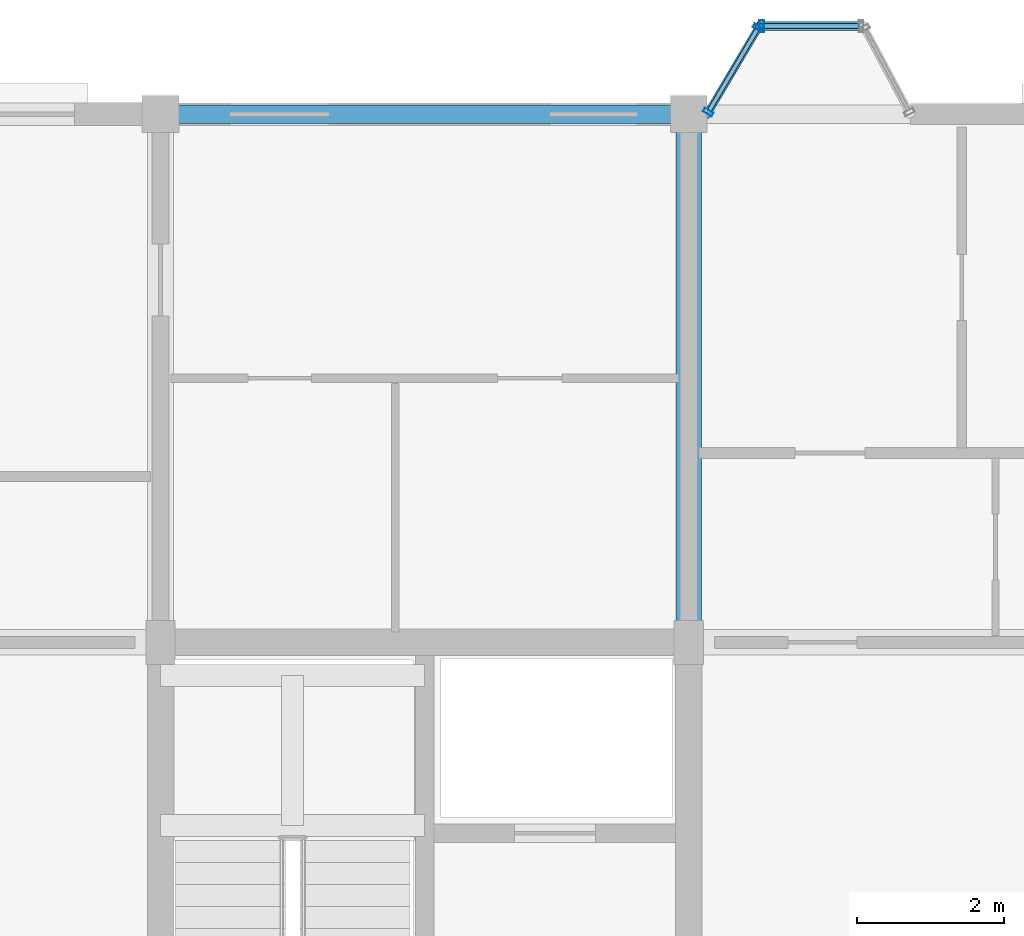
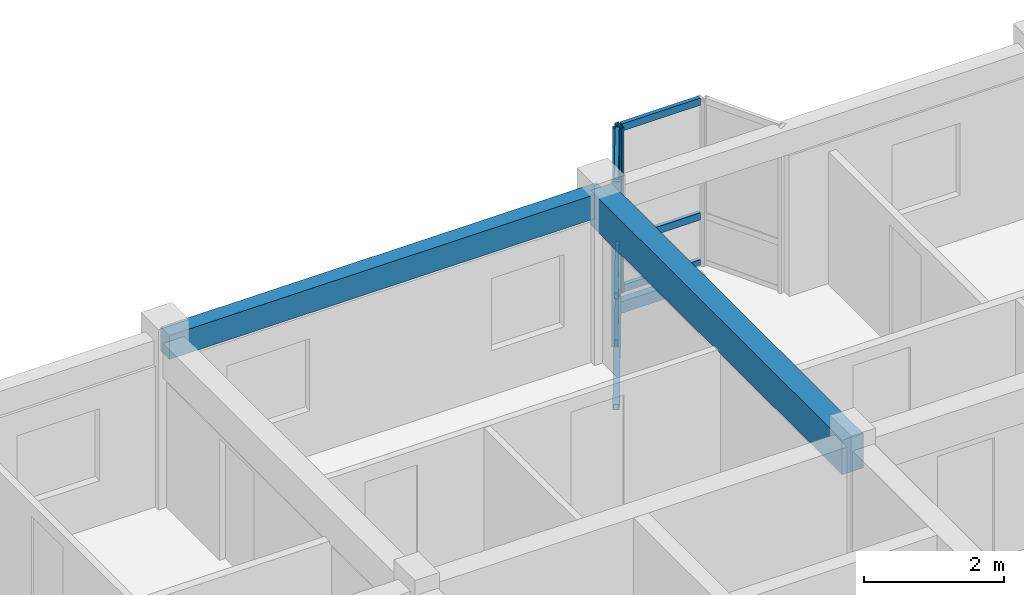
# One storey, part 39 of 70: 11 members, 2 beams, 2 elements without a shape of their own.
"""IFC4 building model written with IfcOpenShell, lengths in metres."""

from ifc_helpers import new_model, si_unit, direction, frame, origin, origin_2d, place, context, subcontext, project, spatial, rectangle, hollow_rectangle, extrude, material, layer, layer_set, material_profile, profile_set, type_object, element, aggregate, save


model = new_model("IFC4")

# Units and contexts
model_context = context("Model", 3, precision=1e-05, world=origin(), true_north=direction((0.0, 1.0)))
body_context = subcontext(model_context, "Body", "Model", "MODEL_VIEW")
ifc_project = project(units=[si_unit("LENGTHUNIT", "METRE"), si_unit("AREAUNIT", "SQUARE_METRE"), si_unit("VOLUMEUNIT", "CUBIC_METRE"), si_unit("PLANEANGLEUNIT", "RADIAN"), si_unit("MASSUNIT", "GRAM", prefix="KILO"), si_unit("THERMODYNAMICTEMPERATUREUNIT", "KELVIN"), si_unit("POWERUNIT", "WATT")], contexts=[model_context])

# Site, building, storey
site_placement = place(None, origin())
site = spatial("IfcSite", under=ifc_project, at=site_placement, CompositionType="ELEMENT")
building_placement = place(site_placement, origin())
building = spatial("IfcBuilding", under=site, at=building_placement, Name="Tavuni Mirador Residences", CompositionType="ELEMENT")
storey_placement = place(building_placement, frame((0.0, 0.0, 23.39990234375)))
storey = spatial("IfcBuildingStorey", under=building, at=storey_placement, Name="L07", CompositionType="ELEMENT", Elevation=23.39990234375)

# Beams
ifc_material_1 = material(Name="Precast concrete C40/50", Category="concrete")
ifc_material_profile_1 = material_profile(ifc_material_1, rectangle(XDim=0.35009765625, YDim=0.60009765625, at=origin_2d()), Name="PC 350x600", Category="concrete")
ifc_profile_set_1 = profile_set([ifc_material_profile_1], Name="Precast concrete C40/50")
beam_type_1 = type_object("IfcBeamType", Name="BT-B600", PredefinedType="BEAM", material=ifc_profile_set_1)
beam_1_placement = place(storey_placement, frame((32.39990234375, 165.60009765625, 2.585205078125), z_axis=(0.0, 1.0, 0.0), x_axis=(-1.0, 0.0, 0.0)))
element("IfcBeam", 1, at=beam_1_placement, inside=storey, type_object=beam_type_1, Name="BMY-BLK-C-L07-03-03", PredefinedType="BEAM", context=body_context, shape_type="SweptSolid", body=[
    extrude(rectangle(XDim=0.35009765625, YDim=0.60009765625, at=origin_2d()), origin(), (0.0, 0.0, 1.0), 7.199951171875),
])
ifc_material_profile_2 = material_profile(ifc_material_1, rectangle(XDim=0.25, YDim=0.419921875, at=origin_2d()), Name="PC 250x420", Category="concrete")
ifc_profile_set_2 = profile_set([ifc_material_profile_2], Name="Precast concrete C40/50")
beam_type_2 = type_object("IfcBeamType", Name="BT-SP420", PredefinedType="SPANDREL", material=ifc_profile_set_2)
beam_2_placement = place(storey_placement, frame((25.199951171875, 172.800048828125, 2.675048828125), z_axis=(1.0, 0.0, 0.0), x_axis=(0.0, 1.0, 0.0)))
element("IfcBeam", 2, at=beam_2_placement, inside=storey, type_object=beam_type_2, Name="BMX-BLK-C-L07-02-04", PredefinedType="SPANDREL", context=body_context, shape_type="SweptSolid", body=[
    extrude(rectangle(XDim=0.25, YDim=0.419921875, at=origin_2d()), origin(), (0.0, 0.0, 1.0), 7.199951171875),
])

# Curtain wall, members
ifc_material_2 = material(Name="Anodised aluminium", Category="aluminium")
ifc_layer_1 = layer(ifc_material_2, 0.175048828125, Name="Anodised aluminium", Category="aluminium")
ifc_layer_set_1 = layer_set([ifc_layer_1], Name="Anodised aluminium")
curtain_wall_type_1 = type_object("IfcCurtainWallType", Name="CWT-MIR-C", PredefinedType="NOTDEFINED", material=ifc_layer_set_1)
curtain_wall_1_placement = place(storey_placement, origin())
curtain_wall_1 = element("IfcCurtainWall", 3, at=curtain_wall_1_placement, inside=storey, type_object=curtain_wall_type_1, Name="CW-MIR-C-N2-L07-M2", PredefinedType="NOTDEFINED")
ifc_material_profile_3 = material_profile(ifc_material_2, hollow_rectangle(XDim=0.06005859375, YDim=0.139892578125, WallThickness=0.00390625, at=origin_2d()), Name="ALU 60x140x4.0", Category="aluminium")
ifc_profile_set_3 = profile_set([ifc_material_profile_3], Name="Anodised aluminium")
member_type_1 = type_object("IfcMemberType", Name="CWM-140", PredefinedType="MULLION", material=ifc_profile_set_3)
member_1_placement = place(storey_placement, frame((33.3447265625, 173.97412109375, 0.0), z_axis=(0.0, 0.0, 1.0), x_axis=(-0.509212491254, -0.860640830284, 0.0)))
member_1 = element("IfcMember", 4, at=member_1_placement, type_object=member_type_1, Name="CW-03 mullion 1", PredefinedType="MULLION", context=body_context, shape_type="SweptSolid", body=[
    extrude(hollow_rectangle(XDim=0.06005859375, YDim=0.139892578125, WallThickness=0.00390625, at=origin_2d()), origin(), (0.0, 0.0, 1.0), 2.885009765625),
])
member_2_placement = place(storey_placement, frame((32.665283203125, 172.825927734375, 0.0), z_axis=(0.0, 0.0, 1.0), x_axis=(-0.509212491254, -0.860640830284, 0.0)))
member_2 = element("IfcMember", 5, at=member_2_placement, type_object=member_type_1, Name="CW-03 mullion 2", PredefinedType="MULLION", context=body_context, shape_type="SweptSolid", body=[
    extrude(hollow_rectangle(XDim=0.06005859375, YDim=0.139892578125, WallThickness=0.00390625, at=origin_2d()), origin(), (0.0, 0.0, 1.0), 2.885009765625),
])

# Curtain wall, member
ifc_layer_2 = layer(ifc_material_2, 0.14990234375, Name="Anodised aluminium", Category="aluminium")
ifc_layer_set_2 = layer_set([ifc_layer_2], Name="Anodised aluminium")
curtain_wall_type_2 = type_object("IfcCurtainWallType", Name="CWT-MIR-B", PredefinedType="NOTDEFINED", material=ifc_layer_set_2)
curtain_wall_2_placement = place(storey_placement, origin())
curtain_wall_2 = element("IfcCurtainWall", 6, at=curtain_wall_2_placement, inside=storey, type_object=curtain_wall_type_2, Name="CW-MIR-C-N2-L07-MF", PredefinedType="NOTDEFINED")
ifc_material_profile_4 = material_profile(ifc_material_2, hollow_rectangle(XDim=0.06494140625, YDim=0.1650390625, WallThickness=0.00439453125, at=origin_2d()), Name="ALU 65x165x4.5", Category="aluminium")
ifc_profile_set_4 = profile_set([ifc_material_profile_4], Name="Anodised aluminium")
member_type_2 = type_object("IfcMemberType", Name="CWM-165", PredefinedType="MULLION", material=ifc_profile_set_4)
member_3_placement = place(storey_placement, frame((33.392578125, 174.0, 0.0), z_axis=(0.0, 0.0, 1.0), x_axis=(-1.0, 0.0, 0.0)))
member_3 = element("IfcMember", 7, at=member_3_placement, type_object=member_type_2, Name="CW-02 mullion 2", PredefinedType="MULLION", context=body_context, shape_type="SweptSolid", body=[
    extrude(hollow_rectangle(XDim=0.06494140625, YDim=0.1650390625, WallThickness=0.00439453125, at=origin_2d()), origin(), (0.0, 0.0, 1.0), 2.885009765625),
])

# Member
ifc_material_profile_5 = material_profile(ifc_material_2, hollow_rectangle(XDim=0.06005859375, YDim=0.110107421875, WallThickness=0.00390625, at=origin_2d()), Name="ALU 60x110x4.0", Category="aluminium")
ifc_profile_set_5 = profile_set([ifc_material_profile_5], Name="Anodised aluminium")
member_type_3 = type_object("IfcMemberType", Name="CWT-110", PredefinedType="USERDEFINED", material=ifc_profile_set_5)
member_4_placement = place(storey_placement, frame((33.329345703125, 173.9482421875, 0.030029296875), z_axis=(-0.509103678098, -0.860705202114, 0.0), x_axis=(0.860705202114, -0.509103678098, 0.0)))
member_4 = element("IfcMember", 8, at=member_4_placement, type_object=member_type_3, Name="CW-03 transom 1.1", ObjectType="TRANSOM", PredefinedType="USERDEFINED", context=body_context, shape_type="SweptSolid", body=[
    extrude(hollow_rectangle(XDim=0.06005859375, YDim=0.110107421875, WallThickness=0.00390625, at=origin_2d()), origin(), (0.0, 0.0, 1.0), 1.274169921875),
])

member_5_placement = place(storey_placement, frame((33.329345703125, 173.9482421875, 0.85009765625), z_axis=(-0.509103678098, -0.860705202114, 0.0), x_axis=(0.860705202114, -0.509103678098, 0.0)))
member_5 = element("IfcMember", 9, at=member_5_placement, type_object=member_type_3, Name="CW-03 transom 1.2", ObjectType="TRANSOM", PredefinedType="USERDEFINED", context=body_context, shape_type="SweptSolid", body=[
    extrude(hollow_rectangle(XDim=0.06005859375, YDim=0.110107421875, WallThickness=0.00390625, at=origin_2d()), origin(), (0.0, 0.0, 1.0), 1.274169921875),
])

member_6_placement = place(storey_placement, frame((33.329345703125, 173.9482421875, 2.85498046875), z_axis=(-0.509103678098, -0.860705202114, 0.0), x_axis=(0.860705202114, -0.509103678098, 0.0)))
member_6 = element("IfcMember", 10, at=member_6_placement, type_object=member_type_3, Name="CW-03 transom 1.3", ObjectType="TRANSOM", PredefinedType="USERDEFINED", context=body_context, shape_type="SweptSolid", body=[
    extrude(hollow_rectangle(XDim=0.06005859375, YDim=0.110107421875, WallThickness=0.00390625, at=origin_2d()), origin(), (0.0, 0.0, 1.0), 1.274169921875),
])

aggregate(curtain_wall_1, [member_1, member_2, member_4, member_5, member_6])

ifc_material_profile_6 = material_profile(ifc_material_2, hollow_rectangle(XDim=0.06494140625, YDim=0.125, WallThickness=0.00439453125, at=origin_2d()), Name="ALU 65x125x4.5", Category="aluminium")
ifc_profile_set_6 = profile_set([ifc_material_profile_6], Name="Anodised aluminium")
member_type_4 = type_object("IfcMemberType", Name="CWT-125", PredefinedType="USERDEFINED", material=ifc_profile_set_6)
member_7_placement = place(storey_placement, frame((34.715087890625, 174.0, 0.03271484375), z_axis=(-1.0, 0.0, 0.0), x_axis=(0.0, -1.0, 0.0)))
member_7 = element("IfcMember", 11, at=member_7_placement, type_object=member_type_4, Name="CW-02 transom 1.1", ObjectType="TRANSOM", PredefinedType="USERDEFINED", context=body_context, shape_type="SweptSolid", body=[
    extrude(hollow_rectangle(XDim=0.06494140625, YDim=0.125, WallThickness=0.00439453125, at=origin_2d()), origin(), (0.0, 0.0, 1.0), 1.2900390625),
])

member_8_placement = place(storey_placement, frame((34.715087890625, 174.0, 0.85009765625), z_axis=(-1.0, 0.0, 0.0), x_axis=(0.0, -1.0, 0.0)))
member_8 = element("IfcMember", 12, at=member_8_placement, type_object=member_type_4, Name="CW-02 transom 1.2", ObjectType="TRANSOM", PredefinedType="USERDEFINED", context=body_context, shape_type="SweptSolid", body=[
    extrude(hollow_rectangle(XDim=0.06494140625, YDim=0.125, WallThickness=0.00439453125, at=origin_2d()), origin(), (0.0, 0.0, 1.0), 1.2900390625),
])

member_9_placement = place(storey_placement, frame((34.715087890625, 174.0, 2.8525390625), z_axis=(-1.0, 0.0, 0.0), x_axis=(0.0, -1.0, 0.0)))
member_9 = element("IfcMember", 13, at=member_9_placement, type_object=member_type_4, Name="CW-02 transom 1.3", ObjectType="TRANSOM", PredefinedType="USERDEFINED", context=body_context, shape_type="SweptSolid", body=[
    extrude(hollow_rectangle(XDim=0.06494140625, YDim=0.125, WallThickness=0.00439453125, at=origin_2d()), origin(), (0.0, 0.0, 1.0), 1.2900390625),
])

aggregate(curtain_wall_2, [member_3, member_7, member_8, member_9])

# Members
ifc_material_3 = material(Name="Structural steel S355", Category="steel")
ifc_material_profile_7 = material_profile(ifc_material_3, hollow_rectangle(XDim=0.10009765625, YDim=0.179931640625, WallThickness=0.008056640625, at=origin_2d()), Name="RHS 180x100x8.0", Category="steel")
ifc_profile_set_7 = profile_set([ifc_material_profile_7], Name="Structural steel S355")
member_type_5 = type_object("IfcMemberType", Name="MT-BR-RHS180", PredefinedType="BRACE", material=ifc_profile_set_7)
member_10_placement = place(storey_placement, frame((32.64990234375, 172.800048828125, -1.0498046875), z_axis=(0.44384687269, 0.749916596518, 0.49053547463), x_axis=(-0.860567285497, 0.509336771823, 0.0)))
element("IfcMember", 14, at=member_10_placement, inside=storey, type_object=member_type_5, Name="MBRK-MIR-C-N2-L07-1", PredefinedType="BRACE", context=body_context, shape_type="SweptSolid", body=[
    extrude(hollow_rectangle(XDim=0.10009765625, YDim=0.179931640625, WallThickness=0.008056640625, at=origin_2d()), origin(), (0.0, 0.0, 1.0), 1.60009765625),
])
ifc_material_profile_8 = material_profile(ifc_material_3, hollow_rectangle(XDim=0.1201171875, YDim=0.199951171875, WallThickness=0.010009765625, at=origin_2d()), Name="RHS 200x120x10.0", Category="steel")
ifc_profile_set_8 = profile_set([ifc_material_profile_8], Name="Structural steel S355")
member_type_6 = type_object("IfcMemberType", Name="MT-ST-RHS200", PredefinedType="STRUT", material=ifc_profile_set_8)
member_11_placement = place(storey_placement, frame((33.360107421875, 174.0, -0.264892578125), z_axis=(1.0, 0.0, 0.0), x_axis=(0.0, 1.0, 0.0)))
element("IfcMember", 15, at=member_11_placement, inside=storey, type_object=member_type_6, Name="MRIM-MIR-C-N2-L07", PredefinedType="STRUT", context=body_context, shape_type="SweptSolid", body=[
    extrude(hollow_rectangle(XDim=0.1201171875, YDim=0.199951171875, WallThickness=0.010009765625, at=origin_2d()), origin(), (0.0, 0.0, 1.0), 1.419921875),
])

save(model, "model.ifc")
